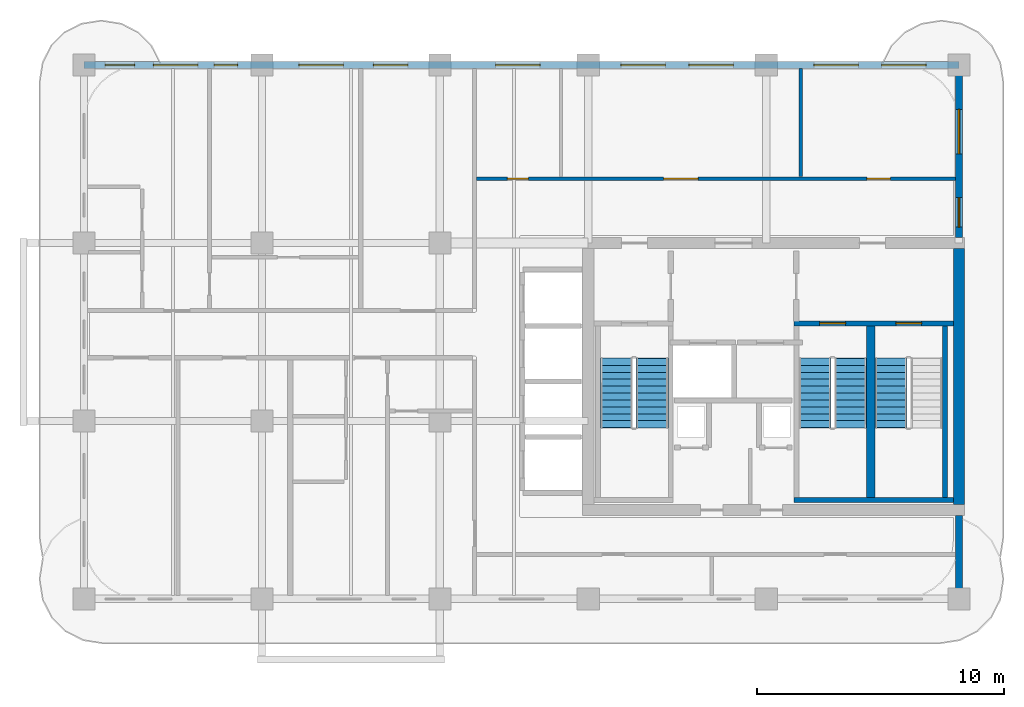
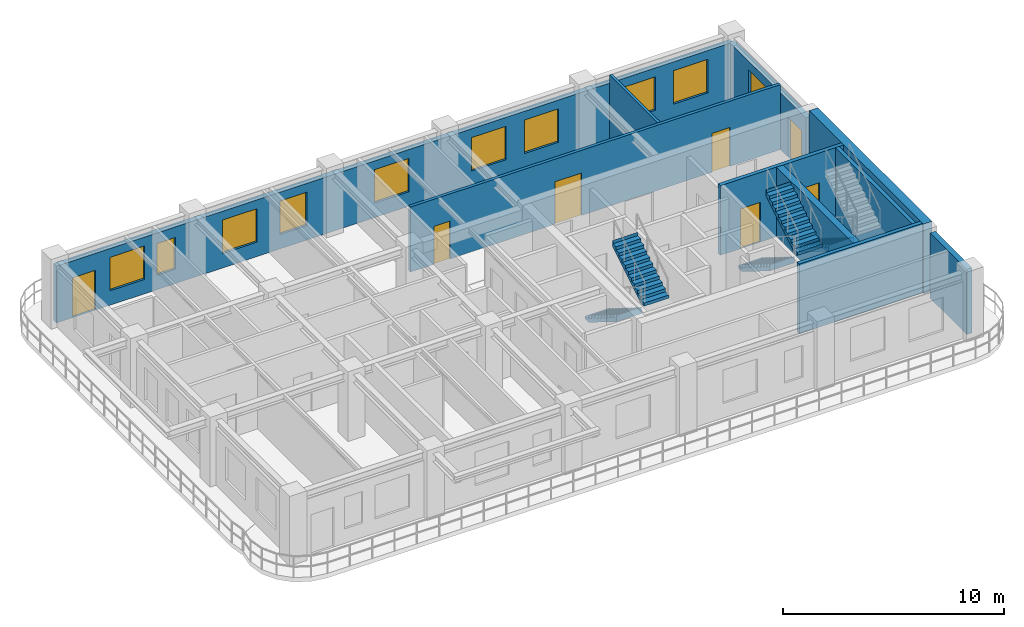
# One storey, part 5 of 8: 10 walls, 10 windows, 7 doors, 5 stair flights, 17 openings, 3 elements without a shape of their own.
"""IFC4 building model written with IfcOpenShell, lengths in metres."""

import ifcopenshell
import ifcopenshell.guid

model = None  # the IFC model being written
_history = None  # IfcOwnerHistory: only IFC2X3 demands one
_inside = {}  # id of a spatial element -> (the spatial element, [elements in it])
_under = {}  # id of a project, library or spatial element -> (it, [spatial elements below it])
_declared = {}  # id of a project -> (the project, [libraries it declares])
_typed = {}  # id of a type object -> (the type object, [elements of that type])
_made_of = {}  # id of a material, layer set ... -> (it, [elements and type objects made of it])


def new_model(schema):
    """Start an empty IFC model of exactly this schema.

    Asked for "IFC4X3", IfcOpenShell would pick the latest addendum, in which some entities
    have other attributes; the version numbers below select the first issue.
    IFC2X3 requires an IfcOwnerHistory on every rooted entity: one is made here for all.
    """
    global model, _history
    if schema == "IFC4X3":
        model = ifcopenshell.file(schema_version=(4, 3, 0, 0))
    else:
        model = ifcopenshell.file(schema=schema)
    _inside.clear()
    _under.clear()
    _declared.clear()
    _typed.clear()
    _made_of.clear()
    _history = None
    if model.schema == "IFC2X3":
        org = make("IfcOrganization", Name="unknown")
        user = make(
            "IfcPersonAndOrganization",
            ThePerson=make("IfcPerson", FamilyName="unknown"),
            TheOrganization=org,
        )
        app = make(
            "IfcApplication",
            ApplicationDeveloper=org,
            Version="unknown",
            ApplicationFullName="unknown",
            ApplicationIdentifier="unknown",
        )
        _history = make(
            "IfcOwnerHistory",
            OwningUser=user,
            OwningApplication=app,
            ChangeAction="ADDED",
            CreationDate=0,
        )
    return model


def make(cls, **values):
    """One entity of the class cls with the attributes given. An attribute that is None is left unset."""
    return model.create_entity(
        cls, **{name: value for name, value in values.items() if value is not None}
    )


def rooted(cls, **values):
    """An entity with a GlobalId (a new one), such as an element, a storey or a relation."""
    return make(cls, GlobalId=ifcopenshell.guid.new(), OwnerHistory=_history, **values)


def si_unit(unit_type, name, prefix=None):
    """IfcSIUnit, for example si_unit("LENGTHUNIT", "METRE", prefix="MILLI")."""
    return make("IfcSIUnit", UnitType=unit_type, Prefix=prefix, Name=name)


def derived_unit(unit_type, elements):
    """IfcDerivedUnit: a product of units, each with its exponent."""
    return make(
        "IfcDerivedUnit",
        Elements=[
            make("IfcDerivedUnitElement", Unit=unit, Exponent=power)
            for unit, power in elements
        ],
        UnitType=unit_type,
    )


def assignment(units):
    """IfcUnitAssignment: the units of a project."""
    return None if units is None else make("IfcUnitAssignment", Units=units)


def point(xyz):
    """IfcCartesianPoint."""
    return None if xyz is None else make("IfcCartesianPoint", Coordinates=xyz)


def direction(xyz):
    """IfcDirection."""
    return None if xyz is None else make("IfcDirection", DirectionRatios=xyz)


def frame(location, z_axis=None, x_axis=None):
    """IfcAxis2Placement3D, a coordinate frame: its origin and axes. An axis left out is left unset."""
    return make(
        "IfcAxis2Placement3D",
        Location=point(location),
        Axis=direction(z_axis),
        RefDirection=direction(x_axis),
    )


def frame_2d(location, x_axis=None):
    """IfcAxis2Placement2D, a coordinate frame in the plane: its origin and x axis."""
    return make(
        "IfcAxis2Placement2D", Location=point(location), RefDirection=direction(x_axis)
    )


def origin():
    """The frame at (0, 0, 0) with its axes left unset."""
    return frame((0.0, 0.0, 0.0))


def place(relative_to, where):
    """IfcLocalPlacement: puts the frame where relative to a parent placement (None: the world)."""
    return make(
        "IfcLocalPlacement", PlacementRelTo=relative_to, RelativePlacement=where
    )


def context(
    kind, dimensions, precision=None, world=None, true_north=None, identifier=None
):
    """IfcGeometricRepresentationContext, for example the 3D "Model" context."""
    return make(
        "IfcGeometricRepresentationContext",
        ContextIdentifier=identifier,
        ContextType=kind,
        CoordinateSpaceDimension=dimensions,
        Precision=precision,
        WorldCoordinateSystem=world,
        TrueNorth=true_north,
    )


def subcontext(parent, identifier, kind, view, scale=None):
    """IfcGeometricRepresentationSubContext, for example "Body" below "Model"."""
    return make(
        "IfcGeometricRepresentationSubContext",
        ContextIdentifier=identifier,
        ContextType=kind,
        ParentContext=parent,
        TargetScale=scale,
        TargetView=view,
    )


def project(units=None, contexts=None):
    """IfcProject with its units and contexts."""
    return rooted(
        "IfcProject",
        Name="project",
        RepresentationContexts=contexts,
        UnitsInContext=assignment(units),
    )


def spatial(cls, under=None, at=None, **own):
    """A site, building, storey or space (cls), placed at a placement, below another one or the project."""
    s = rooted(cls, ObjectPlacement=at, **own)
    if under is not None:
        _under.setdefault(under.id(), (under, []))[1].append(s)
    return s


def polyline(points):
    """IfcPolyline through the points."""
    return make("IfcPolyline", Points=[point(p) for p in points])


def profile(cls, at=None, kind="AREA", **sizes):
    """A parametric profile (cls). Its sizes go by their IFC names, for example OverallWidth=200.0."""
    return make(cls, ProfileType=kind, Position=at, **sizes)


def rectangle(**sizes):
    """IfcRectangleProfileDef."""
    return profile("IfcRectangleProfileDef", **sizes)


def outline(outer, holes=None, kind="AREA"):
    """IfcArbitraryClosedProfileDef: a profile drawn as a closed curve; with holes, ...WithVoids."""
    if holes is None:
        return make("IfcArbitraryClosedProfileDef", ProfileType=kind, OuterCurve=outer)
    return make(
        "IfcArbitraryProfileDefWithVoids",
        ProfileType=kind,
        OuterCurve=outer,
        InnerCurves=holes,
    )


def extrude(swept, where, along, depth):
    """IfcExtrudedAreaSolid: the profile swept, set in the frame where, extruded along a direction by depth."""
    return make(
        "IfcExtrudedAreaSolid",
        SweptArea=swept,
        Position=where,
        ExtrudedDirection=direction(along),
        Depth=depth,
    )


def shape(context_of_items, identifier, shape_type, items):
    """IfcShapeRepresentation: the items that make up one representation, for example the "Body"."""
    return make(
        "IfcShapeRepresentation",
        ContextOfItems=context_of_items,
        RepresentationIdentifier=identifier,
        RepresentationType=shape_type,
        Items=items,
    )


def source(mapping_origin, context_of_items, identifier, shape_type, items):
    """IfcRepresentationMap: a shape defined once, which mapped items show again and again."""
    return make(
        "IfcRepresentationMap",
        MappingOrigin=mapping_origin,
        MappedRepresentation=shape(context_of_items, identifier, shape_type, items),
    )


def transform(
    local_origin,
    x_axis=None,
    y_axis=None,
    z_axis=None,
    scale=None,
    scale2=None,
    scale3=None,
    uniform=True,
):
    """IfcCartesianTransformationOperator3D, or its non-uniform kind. x_axis, y_axis, z_axis: its Axis1, 2, 3."""
    if uniform:
        return make(
            "IfcCartesianTransformationOperator3D",
            Axis1=direction(x_axis),
            Axis2=direction(y_axis),
            LocalOrigin=point(local_origin),
            Scale=scale,
            Axis3=direction(z_axis),
        )
    return make(
        "IfcCartesianTransformationOperator3DnonUniform",
        Axis1=direction(x_axis),
        Axis2=direction(y_axis),
        LocalOrigin=point(local_origin),
        Scale=scale,
        Axis3=direction(z_axis),
        Scale2=scale2,
        Scale3=scale3,
    )


def mapped(mapping_source, mapping_target):
    """IfcMappedItem: shows the shape of a source again, moved by a transform."""
    return make(
        "IfcMappedItem", MappingSource=mapping_source, MappingTarget=mapping_target
    )


def material(Name=None, Category=None):
    """IfcMaterial."""
    return make("IfcMaterial", Name=Name, Category=Category)


def layer(
    of_material, thickness, ventilated=None, Name=None, Category=None, Priority=None
):
    """IfcMaterialLayer: one layer of a wall or slab, of a material (None: an air gap)."""
    return make(
        "IfcMaterialLayer",
        Material=of_material,
        LayerThickness=thickness,
        IsVentilated=ventilated,
        Name=Name,
        Category=Category,
        Priority=Priority,
    )


def layer_set(layers, Name=None):
    """IfcMaterialLayerSet."""
    return make("IfcMaterialLayerSet", MaterialLayers=layers, LayerSetName=Name)


def made_of(thing, what):
    """Note that an element or type object is made of a material, layer set ...; save() writes the relation."""
    if what is not None:
        _made_of.setdefault(what.id(), (what, []))[1].append(thing)
    return thing


def type_object(cls, material=None, **own):
    """A type object (cls), such as IfcWallType, which elements share."""
    return made_of(rooted(cls, **own), material)


def type_shapes(of_type, sources):
    """Give a type object the sources (RepresentationMaps) that its elements show as mapped items."""
    of_type.RepresentationMaps = sources


def element(
    cls,
    number,
    at=None,
    inside=None,
    cuts=None,
    type_object=None,
    material=None,
    context=None,
    identifier="Body",
    shape_type=None,
    held_by="IfcProductDefinitionShape",
    body=None,
    shapes=None,
    **own,
):
    """One element of the class cls, such as IfcWall. Its Tag is "e" and its number.

    at: its placement. inside: the storey or other place that contains it. cuts: it is an
    opening in that element (IfcRelVoidsElement). A single representation is given by context,
    identifier, shape_type and body (its items); several are given by shapes. held_by: the class
    of the entity that holds the representations. save() writes the other relations.
    """
    e = rooted(cls, Tag="e%d" % number, ObjectPlacement=at, **own)
    if body is not None:
        shapes = [shape(context, identifier, shape_type, body)]
    if shapes is not None:
        e.Representation = make(held_by, Representations=shapes)
    if inside is not None:
        _inside.setdefault(inside.id(), (inside, []))[1].append(e)
    if cuts is not None:
        rooted(
            "IfcRelVoidsElement", RelatingBuildingElement=cuts, RelatedOpeningElement=e
        )
    if type_object is not None:
        _typed.setdefault(type_object.id(), (type_object, []))[1].append(e)
    return made_of(e, material)


def fill(opening, filler):
    """IfcRelFillsElement: the door or window that sits in an opening."""
    return rooted(
        "IfcRelFillsElement",
        RelatingOpeningElement=opening,
        RelatedBuildingElement=filler,
    )


def aggregate(whole, parts):
    """IfcRelAggregates: a whole, such as a stair, and the parts it consists of."""
    return rooted("IfcRelAggregates", RelatingObject=whole, RelatedObjects=parts)


def save(model, path):
    """Write the relations noted so far, then the file.

    IfcRelAggregates (storeys below a building ...), IfcRelContainedInSpatialStructure (elements
    in a storey), IfcRelDefinesByType, IfcRelAssociatesMaterial and IfcRelDeclares: one each for
    every whole, place, type object, material and project.
    """
    for whole, parts in _under.values():
        aggregate(whole, parts)
    for where, things in _inside.values():
        rooted(
            "IfcRelContainedInSpatialStructure",
            RelatedElements=things,
            RelatingStructure=where,
        )
    for kind, things in _typed.values():
        rooted("IfcRelDefinesByType", RelatedObjects=things, RelatingType=kind)
    for what, things in _made_of.values():
        rooted("IfcRelAssociatesMaterial", RelatedObjects=things, RelatingMaterial=what)
    for by, libraries in _declared.values():
        rooted("IfcRelDeclares", RelatingContext=by, RelatedDefinitions=libraries)
    model.write(path)


model = new_model("IFC4")

# Units and contexts
model_context = context("Model", 3, precision=1e-05, world=origin(), true_north=direction((0.0, 1.0)))
body_context = subcontext(model_context, "Body", "Model", "MODEL_VIEW")
ifc_project = project(units=[si_unit("LENGTHUNIT", "METRE"), si_unit("AREAUNIT", "SQUARE_METRE"), si_unit("VOLUMEUNIT", "CUBIC_METRE"), si_unit("PLANEANGLEUNIT", "RADIAN"), si_unit("MASSUNIT", "GRAM", prefix="KILO"), si_unit("THERMODYNAMICTEMPERATUREUNIT", "KELVIN"), si_unit("POWERUNIT", "WATT"), derived_unit("THERMALTRANSMITTANCEUNIT", [(si_unit("POWERUNIT", "WATT"), 1), (si_unit("AREAUNIT", "SQUARE_METRE"), -1), (si_unit("THERMODYNAMICTEMPERATUREUNIT", "KELVIN"), -1)])], contexts=[model_context])

# Site, building, storey
site_placement = place(None, origin())
site = spatial("IfcSite", under=ifc_project, at=site_placement, CompositionType="ELEMENT")
building_placement = place(site_placement, origin())
building = spatial("IfcBuilding", under=site, at=building_placement, Name="Zahravan Archway Hotel and Residences", CompositionType="ELEMENT")
storey_placement = place(building_placement, frame((0.0, 0.0, 228.85009765625)))
storey = spatial("IfcBuildingStorey", under=building, at=storey_placement, Name="L57", CompositionType="ELEMENT", Elevation=228.85009765625)

# Walls
ifc_material_1 = material(Name="Concrete C50/60", Category="concrete")
ifc_layer_1 = layer(ifc_material_1, 0.449951171875, Name="Concrete C50/60", Category="concrete")
ifc_layer_set_1 = layer_set([ifc_layer_1], Name="Concrete C50/60")
wall_type_1 = type_object("IfcWallType", Name="CW-CORE-450", PredefinedType="SHEAR", material=ifc_layer_set_1)
wall_1_placement = place(storey_placement, frame((49.800048828125, 3.824951171875, 0.0), z_axis=(0.0, 0.0, 1.0), x_axis=(0.0, 1.0, 0.0)))
element("IfcWall", 1, at=wall_1_placement, inside=storey, type_object=wall_type_1, Name="L57 Core A Shear E Wall 450 mm", PredefinedType="SHEAR", context=body_context, shape_type="SweptSolid", body=[
    extrude(rectangle(XDim=10.35009765625, YDim=0.449951171875, at=frame_2d((5.175048828125, 0.0))), origin(), (0.0, 0.0, 1.0), 3.849853515625),
])
ifc_material_2 = material(Name="Honed Red-Ochre Sandstone & Insulated Block", Category="masonry")
ifc_layer_2 = layer(ifc_material_2, 0.280029296875, Name="Honed Red-Ochre Sandstone & Insulated Block", Category="masonry")
ifc_layer_set_2 = layer_set([ifc_layer_2], Name="Honed Red-Ochre Sandstone & Insulated Block")
wall_type_2 = type_object("IfcWallType", Name="EW-LOG-280", PredefinedType="SOLIDWALL", material=ifc_layer_set_2)
wall_2_placement = place(storey_placement, frame((49.800048828125, 0.050048828125, 0.0), z_axis=(0.0, 0.0, 1.0), x_axis=(0.0, 1.0, 0.0)))
element("IfcWall", 2, at=wall_2_placement, inside=storey, type_object=wall_type_2, Name="L57 Exterior Sandstone Wall WA-ES", PredefinedType="SOLIDWALL", context=body_context, shape_type="SweptSolid", body=[
    extrude(rectangle(XDim=3.329833984375, YDim=0.280029296875, at=frame_2d((1.6650390625, 0.0))), origin(), (0.0, 0.0, 1.0), 3.599853515625),
])

# Wall, openings, door, window
wall_3_placement = place(storey_placement, frame((49.800048828125, 14.6201171875, 0.0), z_axis=(0.0, 0.0, 1.0), x_axis=(0.0, 1.0, 0.0)))
wall_3 = element("IfcWall", 3, at=wall_3_placement, inside=storey, type_object=wall_type_2, Name="L57 Exterior Sandstone Wall WA-EN", PredefinedType="SOLIDWALL", context=body_context, shape_type="SweptSolid", body=[
    extrude(rectangle(XDim=6.929931640625, YDim=0.280029296875, at=frame_2d((3.46484375, 0.0))), origin(), (0.0, 0.0, 1.0), 3.135009765625),
])
opening_1_placement = place(wall_3_placement, frame((0.419921875, 0.0, 0.0)))
opening_1 = element("IfcOpeningElement", 4, at=opening_1_placement, cuts=wall_3, Name="Opening ED-BL1", PredefinedType="OPENING", context=body_context, shape_type="SweptSolid", body=[
    extrude(rectangle(XDim=1.199951171875, YDim=2.199951171875, at=frame_2d((0.60009765625, 1.10009765625))), frame((0.0, 0.14990234375, 0.0), z_axis=(0.0, -1.0, 0.0), x_axis=(1.0, 0.0, 0.0)), (0.0, 0.0, 1.0), 0.300048828125),
])
opening_2_placement = place(wall_3_placement, frame((3.384033203125, 0.0, 0.800048828125)))
opening_2 = element("IfcOpeningElement", 5, at=opening_2_placement, cuts=wall_3, Name="Opening W-02", PredefinedType="OPENING", context=body_context, shape_type="SweptSolid", body=[
    extrude(rectangle(XDim=1.800048828125, YDim=1.85009765625, at=frame_2d((0.89990234375, 0.925048828125))), frame((0.0, 0.14990234375, 0.0), z_axis=(0.0, -1.0, 0.0), x_axis=(1.0, 0.0, 0.0)), (0.0, 0.0, 1.0), 0.300048828125),
])
ifc_material_3 = material(Name="Bronze-Anodized Glazed Aluminium", Category="aluminium")
door_type_1 = type_object("IfcDoorType", Name="ED-BALC-1200", OperationType="SLIDING_TO_LEFT", PredefinedType="DOOR", material=ifc_material_3)
shared_shape_1 = source(origin(), body_context, "Body", "SweptSolid", [
    extrude(rectangle(XDim=1.199951171875, YDim=2.199951171875, at=frame_2d((0.60009765625, 1.10009765625))), frame((0.0, 0.02490234375, 0.0), z_axis=(0.0, -1.0, 0.0), x_axis=(1.0, 0.0, 0.0)), (0.0, 0.0, 1.0), 0.050048828125),
])
type_shapes(door_type_1, [shared_shape_1])
door_1_placement = place(opening_1_placement, origin())
door_1 = element("IfcDoor", 6, at=door_1_placement, inside=storey, type_object=door_type_1, Name="L57 Outdoor Access Sliding Door (SLB-BAL-L57-EA)", OperationType="SLIDING_TO_LEFT", OverallHeight=2.199951171875, OverallWidth=1.199951171875, PredefinedType="DOOR", context=body_context, shape_type="MappedRepresentation", body=[
    mapped(shared_shape_1, transform((0.0, 0.0, 0.0), scale=1.0)),
])
fill(opening_1, door_1)
ifc_material_4 = material(Name="Bronze-Anodized Thermal-Break Aluminium & Low-E Glass", Category="aluminium")
window_type_1 = type_object("IfcWindowType", Name="WIN-TWR-1800", PartitioningType="DOUBLE_PANEL_VERTICAL", PredefinedType="WINDOW", material=ifc_material_4)
shared_shape_2 = source(origin(), body_context, "Body", "SweptSolid", [
    extrude(rectangle(XDim=1.800048828125, YDim=1.85009765625, at=frame_2d((0.89990234375, 0.925048828125))), frame((0.0, 0.030029296875, 0.0), z_axis=(0.0, -1.0, 0.0), x_axis=(1.0, 0.0, 0.0)), (0.0, 0.0, 1.0), 0.06005859375),
])
type_shapes(window_type_1, [shared_shape_2])
window_1_placement = place(opening_2_placement, origin())
window_1 = element("IfcWindow", 7, at=window_1_placement, inside=storey, type_object=window_type_1, Name="L57 Loggia Window 10", OverallHeight=1.85009765625, OverallWidth=1.800048828125, PartitioningType="DOUBLE_PANEL_VERTICAL", PredefinedType="WINDOW", context=body_context, shape_type="MappedRepresentation", body=[
    mapped(shared_shape_2, transform((0.0, 0.0, 0.0), scale=1.0)),
])
fill(opening_2, window_1)

# Wall, openings, door, windows
wall_4_placement = place(storey_placement, frame((14.39990234375, 21.60009765625, 0.0), z_axis=(0.0, 0.0, 1.0), x_axis=(1.0, 0.0, 0.0)))
wall_4 = element("IfcWall", 8, at=wall_4_placement, inside=storey, type_object=wall_type_2, Name="L57 Exterior Sandstone Wall WA-N", PredefinedType="SOLIDWALL", context=body_context, shape_type="SweptSolid", body=[
    extrude(rectangle(XDim=35.400146484375, YDim=0.280029296875, at=frame_2d((17.7001953125, 0.0))), origin(), (0.0, 0.0, 1.0), 3.135009765625),
])
opening_3_placement = place(wall_4_placement, frame((0.85009765625, 0.0, 0.0)))
opening_3 = element("IfcOpeningElement", 9, at=opening_3_placement, cuts=wall_4, Name="Opening ED-BL1", PredefinedType="OPENING", context=body_context, shape_type="SweptSolid", body=[
    extrude(rectangle(XDim=1.199951171875, YDim=2.199951171875, at=frame_2d((0.60009765625, 1.10009765625))), frame((0.0, 0.14990234375, 0.0), z_axis=(0.0, -1.0, 0.0), x_axis=(1.0, 0.0, 0.0)), (0.0, 0.0, 1.0), 0.300048828125),
])
opening_4_placement = place(wall_4_placement, frame((2.81103515625, 0.0, 0.800048828125)))
opening_4 = element("IfcOpeningElement", 10, at=opening_4_placement, cuts=wall_4, Name="Opening W-02", PredefinedType="OPENING", context=body_context, shape_type="SweptSolid", body=[
    extrude(rectangle(XDim=1.800048828125, YDim=1.85009765625, at=frame_2d((0.89990234375, 0.925048828125))), frame((0.0, 0.14990234375, 0.0), z_axis=(0.0, -1.0, 0.0), x_axis=(1.0, 0.0, 0.0)), (0.0, 0.0, 1.0), 0.300048828125),
])
opening_5_placement = place(wall_4_placement, frame((5.26904296875, 0.0, 0.800048828125)))
opening_5 = element("IfcOpeningElement", 11, at=opening_5_placement, cuts=wall_4, Name="Opening W-04", PredefinedType="OPENING", context=body_context, shape_type="SweptSolid", body=[
    extrude(rectangle(XDim=0.949951171875, YDim=1.75, at=frame_2d((0.47509765625, 0.875))), frame((0.0, 0.14990234375, 0.0), z_axis=(0.0, -1.0, 0.0), x_axis=(1.0, 0.0, 0.0)), (0.0, 0.0, 1.0), 0.300048828125),
])
opening_6_placement = place(wall_4_placement, frame((8.696044921875, 0.0, 0.800048828125)))
opening_6 = element("IfcOpeningElement", 12, at=opening_6_placement, cuts=wall_4, Name="Opening W-02", PredefinedType="OPENING", context=body_context, shape_type="SweptSolid", body=[
    extrude(rectangle(XDim=1.800048828125, YDim=1.85009765625, at=frame_2d((0.89990234375, 0.925048828125))), frame((0.0, 0.14990234375, 0.0), z_axis=(0.0, -1.0, 0.0), x_axis=(1.0, 0.0, 0.0)), (0.0, 0.0, 1.0), 0.300048828125),
])
opening_7_placement = place(wall_4_placement, frame((11.7041015625, 0.0, 0.800048828125)))
opening_7 = element("IfcOpeningElement", 13, at=opening_7_placement, cuts=wall_4, Name="Opening W-03", PredefinedType="OPENING", context=body_context, shape_type="SweptSolid", body=[
    extrude(rectangle(XDim=1.39990234375, YDim=1.85009765625, at=frame_2d((0.699951171875, 0.925048828125))), frame((0.0, 0.14990234375, 0.0), z_axis=(0.0, -1.0, 0.0), x_axis=(1.0, 0.0, 0.0)), (0.0, 0.0, 1.0), 0.300048828125),
])
opening_8_placement = place(wall_4_placement, frame((16.65087890625, 0.0, 0.800048828125)))
opening_8 = element("IfcOpeningElement", 14, at=opening_8_placement, cuts=wall_4, Name="Opening W-02", PredefinedType="OPENING", context=body_context, shape_type="SweptSolid", body=[
    extrude(rectangle(XDim=1.800048828125, YDim=1.85009765625, at=frame_2d((0.89990234375, 0.925048828125))), frame((0.0, 0.14990234375, 0.0), z_axis=(0.0, -1.0, 0.0), x_axis=(1.0, 0.0, 0.0)), (0.0, 0.0, 1.0), 0.300048828125),
])
opening_9_placement = place(wall_4_placement, frame((21.72509765625, 0.0, 0.800048828125)))
opening_9 = element("IfcOpeningElement", 15, at=opening_9_placement, cuts=wall_4, Name="Opening W-02", PredefinedType="OPENING", context=body_context, shape_type="SweptSolid", body=[
    extrude(rectangle(XDim=1.800048828125, YDim=1.85009765625, at=frame_2d((0.89990234375, 0.925048828125))), frame((0.0, 0.14990234375, 0.0), z_axis=(0.0, -1.0, 0.0), x_axis=(1.0, 0.0, 0.0)), (0.0, 0.0, 1.0), 0.300048828125),
])
opening_10_placement = place(wall_4_placement, frame((24.47509765625, 0.0, 0.800048828125)))
opening_10 = element("IfcOpeningElement", 16, at=opening_10_placement, cuts=wall_4, Name="Opening W-02", PredefinedType="OPENING", context=body_context, shape_type="SweptSolid", body=[
    extrude(rectangle(XDim=1.800048828125, YDim=1.85009765625, at=frame_2d((0.89990234375, 0.925048828125))), frame((0.0, 0.14990234375, 0.0), z_axis=(0.0, -1.0, 0.0), x_axis=(1.0, 0.0, 0.0)), (0.0, 0.0, 1.0), 0.300048828125),
])
opening_11_placement = place(wall_4_placement, frame((29.531005859375, 0.0, 0.800048828125)))
opening_11 = element("IfcOpeningElement", 17, at=opening_11_placement, cuts=wall_4, Name="Opening W-02", PredefinedType="OPENING", context=body_context, shape_type="SweptSolid", body=[
    extrude(rectangle(XDim=1.800048828125, YDim=1.85009765625, at=frame_2d((0.89990234375, 0.925048828125))), frame((0.0, 0.14990234375, 0.0), z_axis=(0.0, -1.0, 0.0), x_axis=(1.0, 0.0, 0.0)), (0.0, 0.0, 1.0), 0.300048828125),
])
opening_12_placement = place(wall_4_placement, frame((32.277099609375, 0.0, 0.800048828125)))
opening_12 = element("IfcOpeningElement", 18, at=opening_12_placement, cuts=wall_4, Name="Opening W-02", PredefinedType="OPENING", context=body_context, shape_type="SweptSolid", body=[
    extrude(rectangle(XDim=1.800048828125, YDim=1.85009765625, at=frame_2d((0.89990234375, 0.925048828125))), frame((0.0, 0.14990234375, 0.0), z_axis=(0.0, -1.0, 0.0), x_axis=(1.0, 0.0, 0.0)), (0.0, 0.0, 1.0), 0.300048828125),
])
door_2_placement = place(opening_3_placement, origin())
door_2 = element("IfcDoor", 19, at=door_2_placement, inside=storey, type_object=door_type_1, Name="L57 Outdoor Access Sliding Door (SLB-BAL-L57-WA)", OperationType="SLIDING_TO_LEFT", OverallHeight=2.199951171875, OverallWidth=1.199951171875, PredefinedType="DOOR", context=body_context, shape_type="MappedRepresentation", body=[
    mapped(shared_shape_1, transform((0.0, 0.0, 0.0), scale=1.0)),
])
fill(opening_3, door_2)
window_type_2 = type_object("IfcWindowType", Name="WIN-TWR-1400", PartitioningType="SINGLE_PANEL", PredefinedType="WINDOW", material=ifc_material_4)
shared_shape_3 = source(origin(), body_context, "Body", "SweptSolid", [
    extrude(rectangle(XDim=1.39990234375, YDim=1.85009765625, at=frame_2d((0.699951171875, 0.925048828125))), frame((0.0, 0.030029296875, 0.0), z_axis=(0.0, -1.0, 0.0), x_axis=(1.0, 0.0, 0.0)), (0.0, 0.0, 1.0), 0.06005859375),
])
type_shapes(window_type_2, [shared_shape_3])
window_2_placement = place(opening_7_placement, origin())
window_2 = element("IfcWindow", 20, at=window_2_placement, inside=storey, type_object=window_type_2, Name="L57 Loggia Window 14", OverallHeight=1.85009765625, OverallWidth=1.39990234375, PartitioningType="SINGLE_PANEL", PredefinedType="WINDOW", context=body_context, shape_type="MappedRepresentation", body=[
    mapped(shared_shape_3, transform((0.0, 0.0, 0.0), scale=1.0)),
])
fill(opening_7, window_2)
window_type_3 = type_object("IfcWindowType", Name="WIN-NAR-950", PartitioningType="SINGLE_PANEL", PredefinedType="WINDOW", material=ifc_material_4)
shared_shape_4 = source(origin(), body_context, "Body", "SweptSolid", [
    extrude(rectangle(XDim=0.949951171875, YDim=1.75, at=frame_2d((0.47509765625, 0.875))), frame((0.0, 0.030029296875, 0.0), z_axis=(0.0, -1.0, 0.0), x_axis=(1.0, 0.0, 0.0)), (0.0, 0.0, 1.0), 0.06005859375),
])
type_shapes(window_type_3, [shared_shape_4])
window_3_placement = place(opening_5_placement, origin())
window_3 = element("IfcWindow", 21, at=window_3_placement, inside=storey, type_object=window_type_3, Name="L57 Loggia Window 12", OverallHeight=1.75, OverallWidth=0.949951171875, PartitioningType="SINGLE_PANEL", PredefinedType="WINDOW", context=body_context, shape_type="MappedRepresentation", body=[
    mapped(shared_shape_4, transform((0.0, 0.0, 0.0), scale=1.0)),
])
fill(opening_5, window_3)
window_4_placement = place(opening_4_placement, origin())
window_4 = element("IfcWindow", 22, at=window_4_placement, inside=storey, type_object=window_type_1, Name="L57 Loggia Window 11", OverallHeight=1.85009765625, OverallWidth=1.800048828125, PartitioningType="DOUBLE_PANEL_VERTICAL", PredefinedType="WINDOW", context=body_context, shape_type="MappedRepresentation", body=[
    mapped(shared_shape_2, transform((0.0, 0.0, 0.0), scale=1.0)),
])
fill(opening_4, window_4)
window_5_placement = place(opening_6_placement, origin())
window_5 = element("IfcWindow", 23, at=window_5_placement, inside=storey, type_object=window_type_1, Name="L57 Loggia Window 13", OverallHeight=1.85009765625, OverallWidth=1.800048828125, PartitioningType="DOUBLE_PANEL_VERTICAL", PredefinedType="WINDOW", context=body_context, shape_type="MappedRepresentation", body=[
    mapped(shared_shape_2, transform((0.0, 0.0, 0.0), scale=1.0)),
])
fill(opening_6, window_5)
window_6_placement = place(opening_8_placement, origin())
window_6 = element("IfcWindow", 24, at=window_6_placement, inside=storey, type_object=window_type_1, Name="L57 Loggia Window 15", OverallHeight=1.85009765625, OverallWidth=1.800048828125, PartitioningType="DOUBLE_PANEL_VERTICAL", PredefinedType="WINDOW", context=body_context, shape_type="MappedRepresentation", body=[
    mapped(shared_shape_2, transform((0.0, 0.0, 0.0), scale=1.0)),
])
fill(opening_8, window_6)
window_7_placement = place(opening_9_placement, origin())
window_7 = element("IfcWindow", 25, at=window_7_placement, inside=storey, type_object=window_type_1, Name="L57 Loggia Window 16", OverallHeight=1.85009765625, OverallWidth=1.800048828125, PartitioningType="DOUBLE_PANEL_VERTICAL", PredefinedType="WINDOW", context=body_context, shape_type="MappedRepresentation", body=[
    mapped(shared_shape_2, transform((0.0, 0.0, 0.0), scale=1.0)),
])
fill(opening_9, window_7)
window_8_placement = place(opening_10_placement, origin())
window_8 = element("IfcWindow", 26, at=window_8_placement, inside=storey, type_object=window_type_1, Name="L57 Loggia Window 17", OverallHeight=1.85009765625, OverallWidth=1.800048828125, PartitioningType="DOUBLE_PANEL_VERTICAL", PredefinedType="WINDOW", context=body_context, shape_type="MappedRepresentation", body=[
    mapped(shared_shape_2, transform((0.0, 0.0, 0.0), scale=1.0)),
])
fill(opening_10, window_8)
window_9_placement = place(opening_11_placement, origin())
window_9 = element("IfcWindow", 27, at=window_9_placement, inside=storey, type_object=window_type_1, Name="L57 Loggia Window 18", OverallHeight=1.85009765625, OverallWidth=1.800048828125, PartitioningType="DOUBLE_PANEL_VERTICAL", PredefinedType="WINDOW", context=body_context, shape_type="MappedRepresentation", body=[
    mapped(shared_shape_2, transform((0.0, 0.0, 0.0), scale=1.0)),
])
fill(opening_11, window_9)
window_10_placement = place(opening_12_placement, origin())
window_10 = element("IfcWindow", 28, at=window_10_placement, inside=storey, type_object=window_type_1, Name="L57 Loggia Window 19", OverallHeight=1.85009765625, OverallWidth=1.800048828125, PartitioningType="DOUBLE_PANEL_VERTICAL", PredefinedType="WINDOW", context=body_context, shape_type="MappedRepresentation", body=[
    mapped(shared_shape_2, transform((0.0, 0.0, 0.0), scale=1.0)),
])
fill(opening_12, window_10)

# Wall, openings, doors
ifc_material_5 = material(Name="Fire-Rated Gypsum & Concrete Block", Category="concrete")
ifc_layer_3 = layer(ifc_material_5, 0.159912109375, Name="Fire-Rated Gypsum & Concrete Block", Category="concrete")
ifc_layer_set_3 = layer_set([ifc_layer_3], Name="Fire-Rated Gypsum & Concrete Block")
wall_type_3 = type_object("IfcWallType", Name="PW-CORR-160", PredefinedType="PARTITIONING", material=ifc_layer_set_3)
wall_5_placement = place(storey_placement, frame((30.2900390625, 17.0, 0.0), z_axis=(0.0, 0.0, 1.0), x_axis=(1.0, 0.0, 0.0)))
wall_5 = element("IfcWall", 29, at=wall_5_placement, inside=storey, type_object=wall_type_3, Name="L57 Partition WA-FN", PredefinedType="PARTITIONING", context=body_context, shape_type="SweptSolid", body=[
    extrude(rectangle(XDim=19.369873046875, YDim=0.159912109375, at=frame_2d((9.68505859375, 0.0))), origin(), (0.0, 0.0, 1.0), 3.599853515625),
])
opening_13_placement = place(wall_5_placement, frame((1.235107421875, 0.0, 0.0)))
opening_13 = element("IfcOpeningElement", 30, at=opening_13_placement, cuts=wall_5, Name="Opening D-B1", PredefinedType="OPENING", context=body_context, shape_type="SweptSolid", body=[
    extrude(rectangle(XDim=0.85009765625, YDim=2.10009765625, at=frame_2d((0.425048828125, 1.050048828125))), frame((0.0, 0.08984375, 0.0), z_axis=(0.0, -1.0, 0.0), x_axis=(1.0, 0.0, 0.0)), (0.0, 0.0, 1.0), 0.179931640625),
])
opening_14_placement = place(wall_5_placement, frame((7.56005859375, 0.0, 0.0)))
opening_14 = element("IfcOpeningElement", 31, at=opening_14_placement, cuts=wall_5, Name="Opening D-P1", PredefinedType="OPENING", context=body_context, shape_type="SweptSolid", body=[
    extrude(rectangle(XDim=1.39990234375, YDim=2.35009765625, at=frame_2d((0.699951171875, 1.175048828125))), frame((0.0, 0.08984375, 0.0), z_axis=(0.0, -1.0, 0.0), x_axis=(1.0, 0.0, 0.0)), (0.0, 0.0, 1.0), 0.179931640625),
])
opening_15_placement = place(wall_5_placement, frame((15.784912109375, 0.0, 0.0)))
opening_15 = element("IfcOpeningElement", 32, at=opening_15_placement, cuts=wall_5, Name="Opening D-I1", PredefinedType="OPENING", context=body_context, shape_type="SweptSolid", body=[
    extrude(rectangle(XDim=0.949951171875, YDim=2.14990234375, at=frame_2d((0.47509765625, 1.074951171875))), frame((0.0, 0.08984375, 0.0), z_axis=(0.0, -1.0, 0.0), x_axis=(1.0, 0.0, 0.0)), (0.0, 0.0, 1.0), 0.179931640625),
])
ifc_material_6 = material(Name="Hardwood Veneer Timber", Category="wood")
door_type_2 = type_object("IfcDoorType", Name="ID-BATH-850", OperationType="NOTDEFINED", PredefinedType="DOOR", material=ifc_material_6)
shared_shape_5 = source(origin(), body_context, "Body", "SweptSolid", [
    extrude(rectangle(XDim=0.85009765625, YDim=2.10009765625, at=frame_2d((0.425048828125, 1.050048828125))), frame((0.0, 0.02490234375, 0.0), z_axis=(0.0, -1.0, 0.0), x_axis=(1.0, 0.0, 0.0)), (0.0, 0.0, 1.0), 0.050048828125),
])
type_shapes(door_type_2, [shared_shape_5])
door_3_placement = place(opening_13_placement, origin())
door_3 = element("IfcDoor", 33, at=door_3_placement, inside=storey, type_object=door_type_2, Name="L57 Accessible WC Door", OperationType="SINGLE_SWING_RIGHT", OverallHeight=2.10009765625, OverallWidth=0.85009765625, PredefinedType="DOOR", context=body_context, shape_type="MappedRepresentation", body=[
    mapped(shared_shape_5, transform((0.0, 0.0, 0.0), scale=1.0)),
])
fill(opening_13, door_3)
door_type_3 = type_object("IfcDoorType", Name="ID-PUBLIC-1400", OperationType="DOUBLE_DOOR_SINGLE_SWING", PredefinedType="DOOR", material=ifc_material_3)
shared_shape_6 = source(origin(), body_context, "Body", "SweptSolid", [
    extrude(rectangle(XDim=1.39990234375, YDim=2.35009765625, at=frame_2d((0.699951171875, 1.175048828125))), frame((0.0, 0.02490234375, 0.0), z_axis=(0.0, -1.0, 0.0), x_axis=(1.0, 0.0, 0.0)), (0.0, 0.0, 1.0), 0.050048828125),
])
type_shapes(door_type_3, [shared_shape_6])
door_4_placement = place(opening_14_placement, origin())
door_4 = element("IfcDoor", 34, at=door_4_placement, inside=storey, type_object=door_type_3, Name="L57 Private Dining Door", OperationType="DOUBLE_DOOR_SINGLE_SWING", OverallHeight=2.35009765625, OverallWidth=1.39990234375, PredefinedType="DOOR", context=body_context, shape_type="MappedRepresentation", body=[
    mapped(shared_shape_6, transform((0.0, 0.0, 0.0), scale=1.0)),
])
fill(opening_14, door_4)
door_type_4 = type_object("IfcDoorType", Name="ID-INT-950", OperationType="NOTDEFINED", PredefinedType="DOOR", material=ifc_material_6)
shared_shape_7 = source(origin(), body_context, "Body", "SweptSolid", [
    extrude(rectangle(XDim=0.949951171875, YDim=2.14990234375, at=frame_2d((0.47509765625, 1.074951171875))), frame((0.0, 0.02490234375, 0.0), z_axis=(0.0, -1.0, 0.0), x_axis=(1.0, 0.0, 0.0)), (0.0, 0.0, 1.0), 0.050048828125),
])
type_shapes(door_type_4, [shared_shape_7])
door_5_placement = place(opening_15_placement, origin())
door_5 = element("IfcDoor", 35, at=door_5_placement, inside=storey, type_object=door_type_4, Name="L57 Quiet Musalla Door", OperationType="SINGLE_SWING_LEFT", OverallHeight=2.14990234375, OverallWidth=0.949951171875, PredefinedType="DOOR", context=body_context, shape_type="MappedRepresentation", body=[
    mapped(shared_shape_7, transform((0.0, 0.0, 0.0), scale=1.0)),
])
fill(opening_15, door_5)

# Walls
ifc_material_7 = material(Name="Moisture-Resistant Blockwork", Category="masonry")
ifc_layer_4 = layer(ifc_material_7, 0.139892578125, Name="Moisture-Resistant Blockwork", Category="masonry")
ifc_layer_set_4 = layer_set([ifc_layer_4], Name="Moisture-Resistant Blockwork")
wall_type_4 = type_object("IfcWallType", Name="PW-WET-140", PredefinedType="PARTITIONING", material=ifc_layer_set_4)
wall_6_placement = place(storey_placement, frame((43.39990234375, 17.090087890625, 0.0), z_axis=(0.0, 0.0, 1.0), x_axis=(0.0, 1.0, 0.0)))
element("IfcWall", 36, at=wall_6_placement, inside=storey, type_object=wall_type_4, Name="L57 Partition NE3-2", PredefinedType="PARTITIONING", context=body_context, shape_type="SweptSolid", body=[
    extrude(rectangle(XDim=4.36181640625, YDim=0.139892578125, at=frame_2d((2.180908203125, 0.0))), origin(), (0.0, 0.0, 1.0), 3.599853515625),
])
ifc_layer_5 = layer(ifc_material_1, 0.199951171875, Name="Concrete C50/60", Category="concrete")
ifc_layer_set_5 = layer_set([ifc_layer_5], Name="Concrete C50/60")
wall_type_5 = type_object("IfcWallType", Name="SW-STAIR-200", PredefinedType="SHEAR", material=ifc_layer_set_5)
wall_7_placement = place(storey_placement, frame((43.1201171875, 4.0, 0.0), z_axis=(0.0, 0.0, 1.0), x_axis=(1.0, 0.0, 0.0)))
element("IfcWall", 37, at=wall_7_placement, inside=storey, type_object=wall_type_5, Name="L57 Stairwell RC Wall CA-SA23S", PredefinedType="SHEAR", context=body_context, shape_type="SweptSolid", body=[
    extrude(rectangle(XDim=6.454833984375, YDim=0.199951171875, at=frame_2d((3.2275390625, 0.0))), origin(), (0.0, 0.0, 1.0), 3.849853515625),
])
wall_8_placement = place(storey_placement, frame((49.239990234375, 4.10009765625, 0.0), z_axis=(0.0, 0.0, 1.0), x_axis=(0.0, 1.0, 0.0)))
element("IfcWall", 38, at=wall_8_placement, inside=storey, type_object=wall_type_5, Name="L57 Stairwell RC Wall CA-SA3E", PredefinedType="SHEAR", context=body_context, shape_type="SweptSolid", body=[
    extrude(rectangle(XDim=6.949951171875, YDim=0.199951171875, at=frame_2d((3.47509765625, 0.0))), origin(), (0.0, 0.0, 1.0), 3.849853515625),
])

# Wall, openings, doors
wall_9_placement = place(storey_placement, frame((43.1201171875, 11.14990234375, 0.0), z_axis=(0.0, 0.0, 1.0), x_axis=(1.0, 0.0, 0.0)))
wall_9 = element("IfcWall", 39, at=wall_9_placement, inside=storey, type_object=wall_type_5, Name="L57 Stairwell RC Wall CA-SA23N", PredefinedType="SHEAR", context=body_context, shape_type="SweptSolid", body=[
    extrude(rectangle(XDim=6.454833984375, YDim=0.199951171875, at=frame_2d((3.2275390625, 0.0))), origin(), (0.0, 0.0, 1.0), 3.849853515625),
])
opening_16_placement = place(wall_9_placement, frame((1.044921875, 0.0, 0.0)))
opening_16 = element("IfcOpeningElement", 40, at=opening_16_placement, cuts=wall_9, Name="Opening FD-S1", PredefinedType="OPENING", context=body_context, shape_type="SweptSolid", body=[
    extrude(rectangle(XDim=1.050048828125, YDim=2.199951171875, at=frame_2d((0.52490234375, 1.10009765625))), frame((0.0, 0.10986328125, 0.0), z_axis=(0.0, -1.0, 0.0), x_axis=(1.0, 0.0, 0.0)), (0.0, 0.0, 1.0), 0.219970703125),
])
opening_17_placement = place(wall_9_placement, frame((4.125, 0.0, 0.0)))
opening_17 = element("IfcOpeningElement", 41, at=opening_17_placement, cuts=wall_9, Name="Opening FD-S1", PredefinedType="OPENING", context=body_context, shape_type="SweptSolid", body=[
    extrude(rectangle(XDim=1.050048828125, YDim=2.199951171875, at=frame_2d((0.52490234375, 1.10009765625))), frame((0.0, 0.10986328125, 0.0), z_axis=(0.0, -1.0, 0.0), x_axis=(1.0, 0.0, 0.0)), (0.0, 0.0, 1.0), 0.219970703125),
])
ifc_material_8 = material(Name="Fire-Rated Painted Steel", Category="steel")
door_type_5 = type_object("IfcDoorType", Name="FD-STAIR-1100", OperationType="NOTDEFINED", PredefinedType="DOOR", material=ifc_material_8)
shared_shape_8 = source(origin(), body_context, "Body", "SweptSolid", [
    extrude(rectangle(XDim=1.050048828125, YDim=2.199951171875, at=frame_2d((0.52490234375, 1.10009765625))), frame((0.0, 0.02490234375, 0.0), z_axis=(0.0, -1.0, 0.0), x_axis=(1.0, 0.0, 0.0)), (0.0, 0.0, 1.0), 0.050048828125),
])
type_shapes(door_type_5, [shared_shape_8])
door_6_placement = place(opening_16_placement, origin())
door_6 = element("IfcDoor", 42, at=door_6_placement, inside=storey, type_object=door_type_5, Name="L57 Stair ST-A2 Door", OperationType="SINGLE_SWING_LEFT", OverallHeight=2.199951171875, OverallWidth=1.050048828125, PredefinedType="DOOR", context=body_context, shape_type="MappedRepresentation", body=[
    mapped(shared_shape_8, transform((0.0, 0.0, 0.0), scale=1.0)),
])
fill(opening_16, door_6)
door_7_placement = place(opening_17_placement, origin())
door_7 = element("IfcDoor", 43, at=door_7_placement, inside=storey, type_object=door_type_5, Name="L57 Stair ST-A3 Door", OperationType="SINGLE_SWING_RIGHT", OverallHeight=2.199951171875, OverallWidth=1.050048828125, PredefinedType="DOOR", context=body_context, shape_type="MappedRepresentation", body=[
    mapped(shared_shape_8, transform((0.0, 0.0, 0.0), scale=1.0)),
])
fill(opening_17, door_7)

# Wall
ifc_layer_6 = layer(ifc_material_1, 0.340087890625, Name="Concrete C50/60", Category="concrete")
ifc_layer_set_6 = layer_set([ifc_layer_6], Name="Concrete C50/60")
wall_type_6 = type_object("IfcWallType", Name="SW-STAIR-340", PredefinedType="SHEAR", material=ifc_layer_set_6)
wall_10_placement = place(storey_placement, frame((46.22998046875, 4.10009765625, 0.0), z_axis=(0.0, 0.0, 1.0), x_axis=(0.0, 1.0, 0.0)))
element("IfcWall", 44, at=wall_10_placement, inside=storey, type_object=wall_type_6, Name="L57 Stairwell RC Wall CA-SA23M", PredefinedType="SHEAR", context=body_context, shape_type="SweptSolid", body=[
    extrude(rectangle(XDim=6.949951171875, YDim=0.340087890625, at=frame_2d((3.47509765625, 0.0))), origin(), (0.0, 0.0, 1.0), 3.849853515625),
])

# Stair, stair flights
stair_type = type_object("IfcStairType", Name="STR-CORE-1300", PredefinedType="HALF_TURN_STAIR", material=ifc_material_1)
stair_1_placement = place(storey_placement, origin())
stair_1 = element("IfcStair", 45, at=stair_1_placement, inside=storey, type_object=stair_type, Name="L57 Core A Exit Stair 1", PredefinedType="HALF_TURN_STAIR")
ifc_layer_7 = layer(ifc_material_1, 0.199951171875, Name="Concrete C50/60", Category="concrete")
ifc_layer_set_7 = layer_set([ifc_layer_7], Name="Concrete C50/60")
stair_flight_type = type_object("IfcStairFlightType", Name="SFL-CORE-1300", PredefinedType="STRAIGHT", material=ifc_layer_set_7)
shared_shape_9 = source(origin(), body_context, "Body", "SweptSolid", [
    extrude(outline(polyline([(-0.01611328125, 0.0), (-0.01611328125, 0.175048828125), (0.280029296875, 0.175048828125), (0.280029296875, 0.35009765625), (0.56005859375, 0.35009765625), (0.56005859375, 0.52490234375), (0.840087890625, 0.52490234375), (0.840087890625, 0.699951171875), (1.1201171875, 0.699951171875), (1.1201171875, 0.875), (1.39990234375, 0.875), (1.39990234375, 1.050048828125), (1.679931640625, 1.050048828125), (1.679931640625, 1.22509765625), (1.9599609375, 1.22509765625), (1.9599609375, 1.39990234375), (2.239990234375, 1.39990234375), (2.239990234375, 1.574951171875), (2.52001953125, 1.574951171875), (2.52001953125, 1.75), (2.800048828125, 1.75), (2.800048828125, 1.925048828125), (2.816162109375, 1.925048828125), (2.816162109375, 1.5732421875), (0.28271484375, 0.0), (-0.01611328125, 0.0)])), frame((0.0, 0.64990234375, 0.0), z_axis=(0.0, -1.0, 0.0), x_axis=(1.0, 0.0, 0.0)), (0.0, 0.0, 1.0), 1.300048828125),
])
stair_flight_1_placement = place(storey_placement, frame((35.949951171875, 9.72998046875, 0.0), z_axis=(0.0, 0.0, 1.0), x_axis=(0.0, -1.0, 0.0)))
stair_flight_1 = element("IfcStairFlight", 46, at=stair_flight_1_placement, type_object=stair_flight_type, Name="ST-A1 flight 1", NumberOfRisers=11, NumberOfTreads=10, PredefinedType="STRAIGHT", RiserHeight=0.175, TreadLength=0.28, context=body_context, shape_type="MappedRepresentation", body=[
    mapped(shared_shape_9, transform((0.0, 0.0, 0.0), scale=1.0)),
])
stair_flight_2_placement = place(storey_placement, frame((37.389892578125, 6.929931640625, 1.9248046875), z_axis=(0.0, 0.0, 1.0), x_axis=(0.0, 1.0, 0.0)))
stair_flight_2 = element("IfcStairFlight", 47, at=stair_flight_2_placement, type_object=stair_flight_type, Name="ST-A1 flight 2", NumberOfRisers=11, NumberOfTreads=10, PredefinedType="STRAIGHT", RiserHeight=0.175, TreadLength=0.28, context=body_context, shape_type="MappedRepresentation", body=[
    mapped(shared_shape_9, transform((0.0, 0.0, 0.0), scale=1.0)),
])
aggregate(stair_1, [stair_flight_1, stair_flight_2])

stair_2_placement = place(storey_placement, origin())
stair_2 = element("IfcStair", 48, at=stair_2_placement, inside=storey, type_object=stair_type, Name="L57 Core A Exit Stair 2", PredefinedType="HALF_TURN_STAIR")
stair_flight_3_placement = place(storey_placement, frame((43.969970703125, 9.72998046875, 0.0), z_axis=(0.0, 0.0, 1.0), x_axis=(0.0, -1.0, 0.0)))
stair_flight_3 = element("IfcStairFlight", 49, at=stair_flight_3_placement, type_object=stair_flight_type, Name="ST-A2 flight 1", NumberOfRisers=11, NumberOfTreads=10, PredefinedType="STRAIGHT", RiserHeight=0.175, TreadLength=0.28, context=body_context, shape_type="MappedRepresentation", body=[
    mapped(shared_shape_9, transform((0.0, 0.0, 0.0), scale=1.0)),
])
stair_flight_4_placement = place(storey_placement, frame((45.409912109375, 6.929931640625, 1.9248046875), z_axis=(0.0, 0.0, 1.0), x_axis=(0.0, 1.0, 0.0)))
stair_flight_4 = element("IfcStairFlight", 50, at=stair_flight_4_placement, type_object=stair_flight_type, Name="ST-A2 flight 2", NumberOfRisers=11, NumberOfTreads=10, PredefinedType="STRAIGHT", RiserHeight=0.175, TreadLength=0.28, context=body_context, shape_type="MappedRepresentation", body=[
    mapped(shared_shape_9, transform((0.0, 0.0, 0.0), scale=1.0)),
])
aggregate(stair_2, [stair_flight_3, stair_flight_4])

# Stair, stair flight
stair_3_placement = place(storey_placement, origin())
stair_3 = element("IfcStair", 51, at=stair_3_placement, inside=storey, type_object=stair_type, Name="L57 Core A Exit Stair 3", PredefinedType="HALF_TURN_STAIR")
stair_flight_5_placement = place(storey_placement, frame((47.050048828125, 9.72998046875, 0.0), z_axis=(0.0, 0.0, 1.0), x_axis=(0.0, -1.0, 0.0)))
stair_flight_5 = element("IfcStairFlight", 52, at=stair_flight_5_placement, type_object=stair_flight_type, Name="ST-A3 flight 1", NumberOfRisers=11, NumberOfTreads=10, PredefinedType="STRAIGHT", RiserHeight=0.175, TreadLength=0.28, context=body_context, shape_type="MappedRepresentation", body=[
    mapped(shared_shape_9, transform((0.0, 0.0, 0.0), scale=1.0)),
])
aggregate(stair_3, [stair_flight_5])

save(model, "model.ifc")
